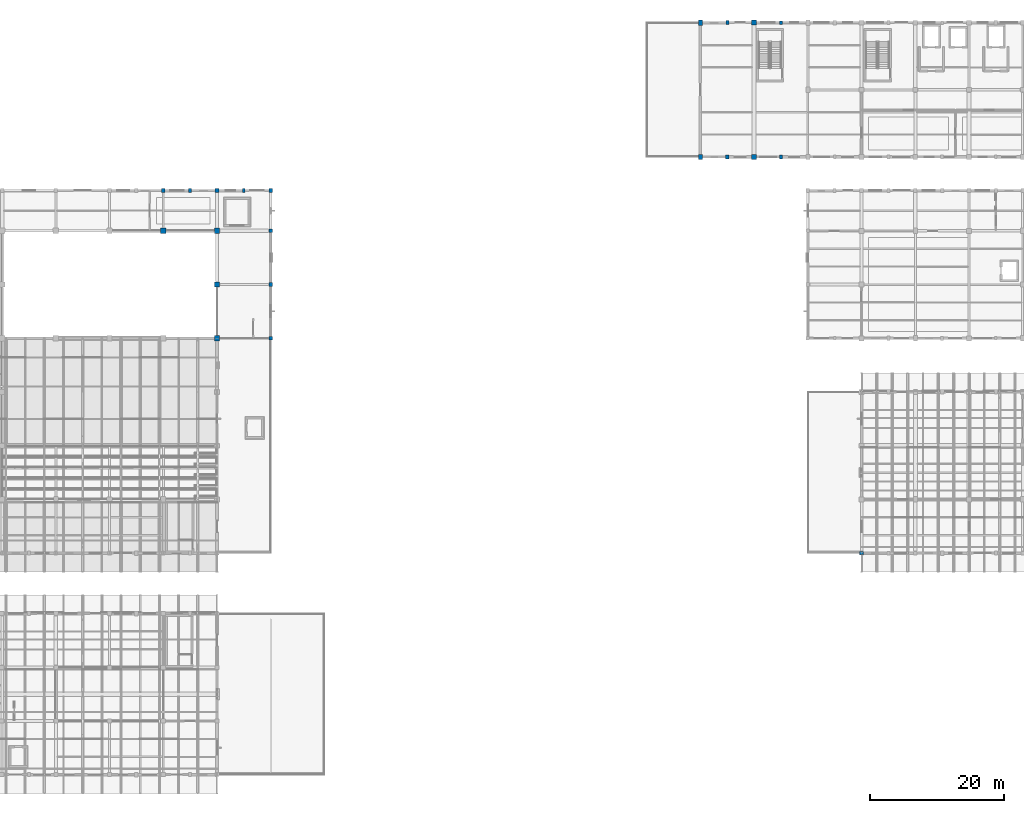
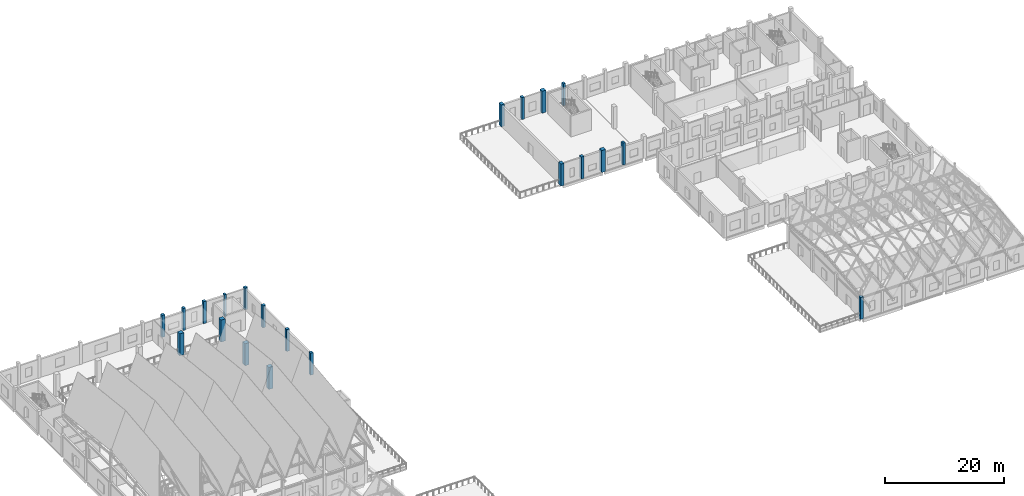
# One storey, part 6 of 77: 21 columns.
"""IFC4 building model written with IfcOpenShell, lengths in metres."""

import ifcopenshell
import ifcopenshell.guid

model = None  # the IFC model being written
_history = None  # IfcOwnerHistory: only IFC2X3 demands one
_inside = {}  # id of a spatial element -> (the spatial element, [elements in it])
_under = {}  # id of a project, library or spatial element -> (it, [spatial elements below it])
_declared = {}  # id of a project -> (the project, [libraries it declares])
_typed = {}  # id of a type object -> (the type object, [elements of that type])
_made_of = {}  # id of a material, layer set ... -> (it, [elements and type objects made of it])


def new_model(schema):
    """Start an empty IFC model of exactly this schema.

    Asked for "IFC4X3", IfcOpenShell would pick the latest addendum, in which some entities
    have other attributes; the version numbers below select the first issue.
    IFC2X3 requires an IfcOwnerHistory on every rooted entity: one is made here for all.
    """
    global model, _history
    if schema == "IFC4X3":
        model = ifcopenshell.file(schema_version=(4, 3, 0, 0))
    else:
        model = ifcopenshell.file(schema=schema)
    _inside.clear()
    _under.clear()
    _declared.clear()
    _typed.clear()
    _made_of.clear()
    _history = None
    if model.schema == "IFC2X3":
        org = make("IfcOrganization", Name="unknown")
        user = make(
            "IfcPersonAndOrganization",
            ThePerson=make("IfcPerson", FamilyName="unknown"),
            TheOrganization=org,
        )
        app = make(
            "IfcApplication",
            ApplicationDeveloper=org,
            Version="unknown",
            ApplicationFullName="unknown",
            ApplicationIdentifier="unknown",
        )
        _history = make(
            "IfcOwnerHistory",
            OwningUser=user,
            OwningApplication=app,
            ChangeAction="ADDED",
            CreationDate=0,
        )
    return model


def make(cls, **values):
    """One entity of the class cls with the attributes given. An attribute that is None is left unset."""
    return model.create_entity(
        cls, **{name: value for name, value in values.items() if value is not None}
    )


def rooted(cls, **values):
    """An entity with a GlobalId (a new one), such as an element, a storey or a relation."""
    return make(cls, GlobalId=ifcopenshell.guid.new(), OwnerHistory=_history, **values)


def si_unit(unit_type, name, prefix=None):
    """IfcSIUnit, for example si_unit("LENGTHUNIT", "METRE", prefix="MILLI")."""
    return make("IfcSIUnit", UnitType=unit_type, Prefix=prefix, Name=name)


def assignment(units):
    """IfcUnitAssignment: the units of a project."""
    return None if units is None else make("IfcUnitAssignment", Units=units)


def point(xyz):
    """IfcCartesianPoint."""
    return None if xyz is None else make("IfcCartesianPoint", Coordinates=xyz)


def direction(xyz):
    """IfcDirection."""
    return None if xyz is None else make("IfcDirection", DirectionRatios=xyz)


def frame(location, z_axis=None, x_axis=None):
    """IfcAxis2Placement3D, a coordinate frame: its origin and axes. An axis left out is left unset."""
    return make(
        "IfcAxis2Placement3D",
        Location=point(location),
        Axis=direction(z_axis),
        RefDirection=direction(x_axis),
    )


def frame_2d(location, x_axis=None):
    """IfcAxis2Placement2D, a coordinate frame in the plane: its origin and x axis."""
    return make(
        "IfcAxis2Placement2D", Location=point(location), RefDirection=direction(x_axis)
    )


def origin():
    """The frame at (0, 0, 0) with its axes left unset."""
    return frame((0.0, 0.0, 0.0))


def origin_2d():
    """The frame at (0, 0) in the plane with its x axis left unset."""
    return frame_2d((0.0, 0.0))


def place(relative_to, where):
    """IfcLocalPlacement: puts the frame where relative to a parent placement (None: the world)."""
    return make(
        "IfcLocalPlacement", PlacementRelTo=relative_to, RelativePlacement=where
    )


def context(
    kind, dimensions, precision=None, world=None, true_north=None, identifier=None
):
    """IfcGeometricRepresentationContext, for example the 3D "Model" context."""
    return make(
        "IfcGeometricRepresentationContext",
        ContextIdentifier=identifier,
        ContextType=kind,
        CoordinateSpaceDimension=dimensions,
        Precision=precision,
        WorldCoordinateSystem=world,
        TrueNorth=true_north,
    )


def subcontext(parent, identifier, kind, view, scale=None):
    """IfcGeometricRepresentationSubContext, for example "Body" below "Model"."""
    return make(
        "IfcGeometricRepresentationSubContext",
        ContextIdentifier=identifier,
        ContextType=kind,
        ParentContext=parent,
        TargetScale=scale,
        TargetView=view,
    )


def project(units=None, contexts=None):
    """IfcProject with its units and contexts."""
    return rooted(
        "IfcProject",
        Name="project",
        RepresentationContexts=contexts,
        UnitsInContext=assignment(units),
    )


def spatial(cls, under=None, at=None, **own):
    """A site, building, storey or space (cls), placed at a placement, below another one or the project."""
    s = rooted(cls, ObjectPlacement=at, **own)
    if under is not None:
        _under.setdefault(under.id(), (under, []))[1].append(s)
    return s


def profile(cls, at=None, kind="AREA", **sizes):
    """A parametric profile (cls). Its sizes go by their IFC names, for example OverallWidth=200.0."""
    return make(cls, ProfileType=kind, Position=at, **sizes)


def rectangle(**sizes):
    """IfcRectangleProfileDef."""
    return profile("IfcRectangleProfileDef", **sizes)


def extrude(swept, where, along, depth):
    """IfcExtrudedAreaSolid: the profile swept, set in the frame where, extruded along a direction by depth."""
    return make(
        "IfcExtrudedAreaSolid",
        SweptArea=swept,
        Position=where,
        ExtrudedDirection=direction(along),
        Depth=depth,
    )


def shape(context_of_items, identifier, shape_type, items):
    """IfcShapeRepresentation: the items that make up one representation, for example the "Body"."""
    return make(
        "IfcShapeRepresentation",
        ContextOfItems=context_of_items,
        RepresentationIdentifier=identifier,
        RepresentationType=shape_type,
        Items=items,
    )


def material(Name=None, Category=None):
    """IfcMaterial."""
    return make("IfcMaterial", Name=Name, Category=Category)


def material_profile(
    of_material, cross_section, Name=None, Category=None, Priority=None
):
    """IfcMaterialProfile: a cross section and its material."""
    return make(
        "IfcMaterialProfile",
        Name=Name,
        Material=of_material,
        Profile=cross_section,
        Priority=Priority,
        Category=Category,
    )


def profile_set(profiles, Name=None, composite=None):
    """IfcMaterialProfileSet."""
    return make(
        "IfcMaterialProfileSet",
        Name=Name,
        MaterialProfiles=profiles,
        CompositeProfile=composite,
    )


def made_of(thing, what):
    """Note that an element or type object is made of a material, layer set ...; save() writes the relation."""
    if what is not None:
        _made_of.setdefault(what.id(), (what, []))[1].append(thing)
    return thing


def type_object(cls, material=None, **own):
    """A type object (cls), such as IfcWallType, which elements share."""
    return made_of(rooted(cls, **own), material)


def element(
    cls,
    number,
    at=None,
    inside=None,
    cuts=None,
    type_object=None,
    material=None,
    context=None,
    identifier="Body",
    shape_type=None,
    held_by="IfcProductDefinitionShape",
    body=None,
    shapes=None,
    **own,
):
    """One element of the class cls, such as IfcWall. Its Tag is "e" and its number.

    at: its placement. inside: the storey or other place that contains it. cuts: it is an
    opening in that element (IfcRelVoidsElement). A single representation is given by context,
    identifier, shape_type and body (its items); several are given by shapes. held_by: the class
    of the entity that holds the representations. save() writes the other relations.
    """
    e = rooted(cls, Tag="e%d" % number, ObjectPlacement=at, **own)
    if body is not None:
        shapes = [shape(context, identifier, shape_type, body)]
    if shapes is not None:
        e.Representation = make(held_by, Representations=shapes)
    if inside is not None:
        _inside.setdefault(inside.id(), (inside, []))[1].append(e)
    if cuts is not None:
        rooted(
            "IfcRelVoidsElement", RelatingBuildingElement=cuts, RelatedOpeningElement=e
        )
    if type_object is not None:
        _typed.setdefault(type_object.id(), (type_object, []))[1].append(e)
    return made_of(e, material)


def aggregate(whole, parts):
    """IfcRelAggregates: a whole, such as a stair, and the parts it consists of."""
    return rooted("IfcRelAggregates", RelatingObject=whole, RelatedObjects=parts)


def save(model, path):
    """Write the relations noted so far, then the file.

    IfcRelAggregates (storeys below a building ...), IfcRelContainedInSpatialStructure (elements
    in a storey), IfcRelDefinesByType, IfcRelAssociatesMaterial and IfcRelDeclares: one each for
    every whole, place, type object, material and project.
    """
    for whole, parts in _under.values():
        aggregate(whole, parts)
    for where, things in _inside.values():
        rooted(
            "IfcRelContainedInSpatialStructure",
            RelatedElements=things,
            RelatingStructure=where,
        )
    for kind, things in _typed.values():
        rooted("IfcRelDefinesByType", RelatedObjects=things, RelatingType=kind)
    for what, things in _made_of.values():
        rooted("IfcRelAssociatesMaterial", RelatedObjects=things, RelatingMaterial=what)
    for by, libraries in _declared.values():
        rooted("IfcRelDeclares", RelatingContext=by, RelatedDefinitions=libraries)
    model.write(path)


model = new_model("IFC4")

# Units and contexts
model_context = context("Model", 3, precision=1e-05, world=origin(), true_north=direction((0.0, 1.0)))
body_context = subcontext(model_context, "Body", "Model", "MODEL_VIEW")
ifc_project = project(units=[si_unit("LENGTHUNIT", "METRE"), si_unit("AREAUNIT", "SQUARE_METRE"), si_unit("VOLUMEUNIT", "CUBIC_METRE"), si_unit("PLANEANGLEUNIT", "RADIAN"), si_unit("MASSUNIT", "GRAM", prefix="KILO")], contexts=[model_context])

# Site, building, storey
site_placement = place(None, origin())
site = spatial("IfcSite", under=ifc_project, at=site_placement, CompositionType="ELEMENT")
building_placement = place(site_placement, origin())
building = spatial("IfcBuilding", under=site, at=building_placement, Name="Luwemba Playhouse", CompositionType="ELEMENT")
storey_placement = place(building_placement, frame((0.0, 0.0, 9.300048828125)))
storey = spatial("IfcBuildingStorey", under=building, at=storey_placement, Name="L02", CompositionType="ELEMENT", Elevation=9.300048828125)

# Columns
ifc_material = material(Name="Concrete C40/50", Category="concrete")
ifc_material_profile_1 = material_profile(ifc_material, rectangle(XDim=0.550048828125, YDim=0.550048828125, at=origin_2d()))
ifc_profile_set_1 = profile_set([ifc_material_profile_1], Name="Concrete C40/50")
column_type_1 = type_object("IfcColumnType", Name="COL-C03", PredefinedType="COLUMN", material=ifc_profile_set_1)
for number, where, z_axis, x_axis, name in (
    (1, (36.0, 90.0, 0.0), (0.0, 0.0, 1.0), (1.0, 0.0, 0.0), "L02 column 083"),
    (2, (44.0, 90.0, 0.0), (0.0, 0.0, 1.0), (1.0, 0.0, 0.0), "L02 column 103"),
    (3, (52.0, 68.0, 0.0), (0.0, 0.0, 1.0), (1.0, 0.0, 0.0), "L02 column 120"),
    (4, (52.0, 76.0, 0.0), (0.0, 0.0, 1.0), (1.0, 0.0, 0.0), "L02 column 121"),
    (5, (52.0, 84.0, 0.0), (0.0, 0.0, 1.0), (1.0, 0.0, 0.0), "L02 column 122"),
    (6, (52.0, 90.0, 0.0), (0.0, 0.0, 1.0), (1.0, 0.0, 0.0), "L02 column 123"),
    (7, (140.0, 36.0, 0.0), (0.0, 0.0, 1.0), (1.0, 0.0, 0.0), "L02 column 199"),
):
    element("IfcColumn", number, at=place(storey_placement, frame(where, z_axis=z_axis, x_axis=x_axis)), inside=storey, type_object=column_type_1, Name=name, PredefinedType="COLUMN", context=body_context, shape_type="SweptSolid", body=[
        extrude(rectangle(XDim=0.550048828125, YDim=0.550048828125, at=origin_2d()), origin(), (0.0, 0.0, 1.0), 4.5),
    ])
ifc_material_profile_2 = material_profile(ifc_material, rectangle(XDim=0.75, YDim=0.75, at=origin_2d()))
ifc_profile_set_2 = profile_set([ifc_material_profile_2], Name="Concrete C40/50")
column_type_2 = type_object("IfcColumnType", Name="COL-C07", PredefinedType="COLUMN", material=ifc_profile_set_2)
for number, where, z_axis, x_axis, name in (
    (8, (124.0, 95.0, 0.0), (0.0, 0.0, 1.0), (1.0, 0.0, 0.0), "L02 column 165"),
    (9, (124.0, 115.0, 0.0), (0.0, 0.0, 1.0), (1.0, 0.0, 0.0), "L02 column 167"),
):
    element("IfcColumn", number, at=place(storey_placement, frame(where, z_axis=z_axis, x_axis=x_axis)), inside=storey, type_object=column_type_2, Name=name, PredefinedType="COLUMN", context=body_context, shape_type="SweptSolid", body=[
        extrude(rectangle(XDim=0.75, YDim=0.75, at=origin_2d()), origin(), (0.0, 0.0, 1.0), 4.5),
    ])
ifc_material_profile_3 = material_profile(ifc_material, rectangle(XDim=0.800048828125, YDim=0.800048828125, at=origin_2d()))
ifc_profile_set_3 = profile_set([ifc_material_profile_3], Name="Concrete C40/50")
column_type_3 = type_object("IfcColumnType", Name="COL-C08", PredefinedType="COLUMN", material=ifc_profile_set_3)
for number, where, z_axis, x_axis, name in (
    (10, (36.0, 84.0, 0.0), (0.0, 0.0, 1.0), (1.0, 0.0, 0.0), "L02 column 082"),
    (11, (44.0, 68.0, 0.0), (0.0, 0.0, 1.0), (1.0, 0.0, 0.0), "L02 column 100"),
    (12, (44.0, 76.0, 0.0), (0.0, 0.0, 1.0), (1.0, 0.0, 0.0), "L02 column 101"),
    (13, (44.0, 84.0, 0.0), (0.0, 0.0, 1.0), (1.0, 0.0, 0.0), "L02 column 102"),
):
    element("IfcColumn", number, at=place(storey_placement, frame(where, z_axis=z_axis, x_axis=x_axis)), inside=storey, type_object=column_type_3, Name=name, PredefinedType="COLUMN", context=body_context, shape_type="SweptSolid", body=[
        extrude(rectangle(XDim=0.800048828125, YDim=0.800048828125, at=origin_2d()), origin(), (0.0, 0.0, 1.0), 4.5),
    ])
ifc_material_profile_4 = material_profile(ifc_material, rectangle(XDim=0.60009765625, YDim=0.800048828125, at=origin_2d()))
ifc_profile_set_4 = profile_set([ifc_material_profile_4], Name="Concrete C40/50")
column_type_4 = type_object("IfcColumnType", Name="COL-C12", PredefinedType="COLUMN", material=ifc_profile_set_4)
for number, where, z_axis, x_axis, name in (
    (14, (116.0, 95.0, 0.0), (0.0, 0.0, 1.0), (1.0, 0.0, 0.0), "L02 column 154"),
    (15, (116.0, 115.0, 0.0), (0.0, 0.0, 1.0), (1.0, 0.0, 0.0), "L02 column 156"),
):
    element("IfcColumn", number, at=place(storey_placement, frame(where, z_axis=z_axis, x_axis=x_axis)), inside=storey, type_object=column_type_4, Name=name, PredefinedType="COLUMN", context=body_context, shape_type="SweptSolid", body=[
        extrude(rectangle(XDim=0.60009765625, YDim=0.800048828125, at=origin_2d()), origin(), (0.0, 0.0, 1.0), 4.5),
    ])
ifc_material_profile_5 = material_profile(ifc_material, rectangle(XDim=0.39990234375, YDim=0.550048828125, at=origin_2d()))
ifc_profile_set_5 = profile_set([ifc_material_profile_5], Name="Concrete C40/50")
column_type_5 = type_object("IfcColumnType", Name="COL-PIL1", PredefinedType="PILASTER", material=ifc_profile_set_5)
for number, where, z_axis, x_axis, name in (
    (16, (48.0, 90.0, 0.0), (0.0, 0.0, 1.0), (1.0, 0.0, 0.0), "L02 column 110"),
    (17, (128.0, 115.0, 0.0), (0.0, 0.0, 1.0), (1.0, 0.0, 0.0), "L02 column 171"),
):
    element("IfcColumn", number, at=place(storey_placement, frame(where, z_axis=z_axis, x_axis=x_axis)), inside=storey, type_object=column_type_5, Name=name, PredefinedType="PILASTER", context=body_context, shape_type="SweptSolid", body=[
        extrude(rectangle(XDim=0.39990234375, YDim=0.550048828125, at=origin_2d()), origin(), (0.0, 0.0, 1.0), 4.5),
    ])
ifc_material_profile_6 = material_profile(ifc_material, rectangle(XDim=0.449951171875, YDim=0.60009765625, at=origin_2d()))
ifc_profile_set_6 = profile_set([ifc_material_profile_6], Name="Concrete C40/50")
column_type_6 = type_object("IfcColumnType", Name="COL-PIL2", PredefinedType="PILASTER", material=ifc_profile_set_6)
for number, where, z_axis, x_axis, name in (
    (18, (40.0, 90.0, 0.0), (0.0, 0.0, 1.0), (1.0, 0.0, 0.0), "L02 column 090"),
    (19, (120.0, 115.0, 0.0), (0.0, 0.0, 1.0), (1.0, 0.0, 0.0), "L02 column 160"),
    (20, (128.0, 95.0, 0.0), (0.0, 0.0, 1.0), (1.0, 0.0, 0.0), "L02 column 170"),
):
    element("IfcColumn", number, at=place(storey_placement, frame(where, z_axis=z_axis, x_axis=x_axis)), inside=storey, type_object=column_type_6, Name=name, PredefinedType="PILASTER", context=body_context, shape_type="SweptSolid", body=[
        extrude(rectangle(XDim=0.449951171875, YDim=0.60009765625, at=origin_2d()), origin(), (0.0, 0.0, 1.0), 4.5),
    ])
ifc_material_profile_7 = material_profile(ifc_material, rectangle(XDim=0.5, YDim=0.64990234375, at=origin_2d()))
ifc_profile_set_7 = profile_set([ifc_material_profile_7], Name="Concrete C40/50")
column_type_7 = type_object("IfcColumnType", Name="COL-PIL3", PredefinedType="PILASTER", material=ifc_profile_set_7)
column_placement = place(storey_placement, frame((120.0, 95.0, 0.0), z_axis=(0.0, 0.0, 1.0), x_axis=(1.0, 0.0, 0.0)))
element("IfcColumn", 21, at=column_placement, inside=storey, type_object=column_type_7, Name="L02 column 159", PredefinedType="PILASTER", context=body_context, shape_type="SweptSolid", body=[
    extrude(rectangle(XDim=0.5, YDim=0.64990234375, at=origin_2d()), origin(), (0.0, 0.0, 1.0), 4.5),
])

save(model, "model.ifc")
